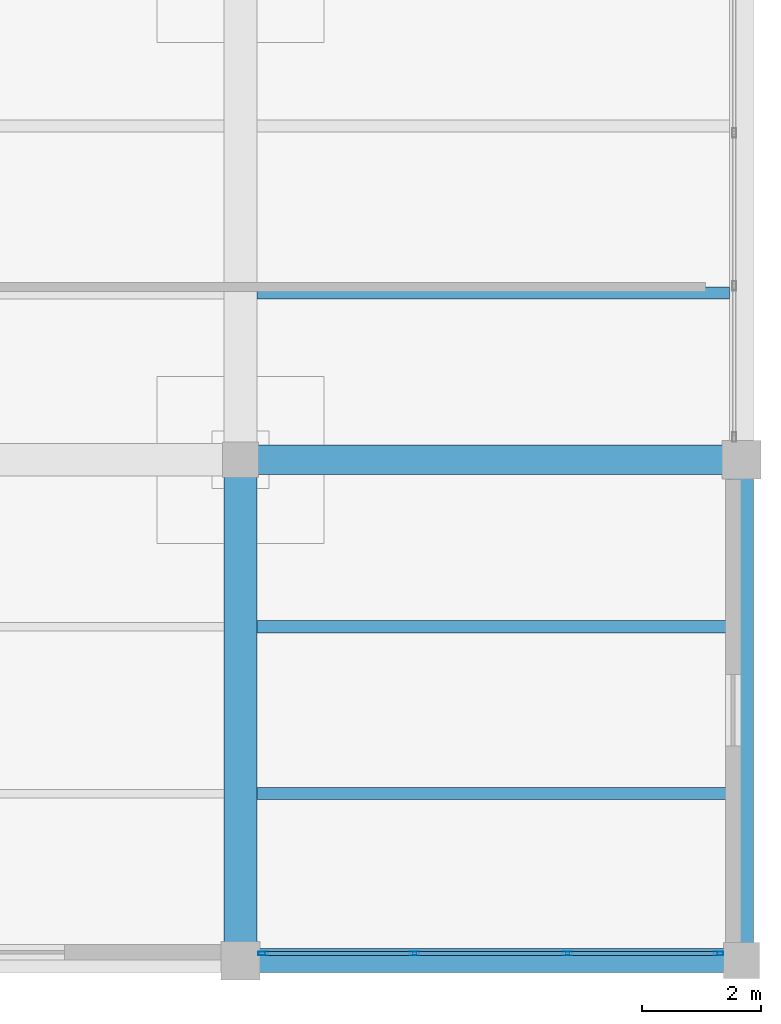
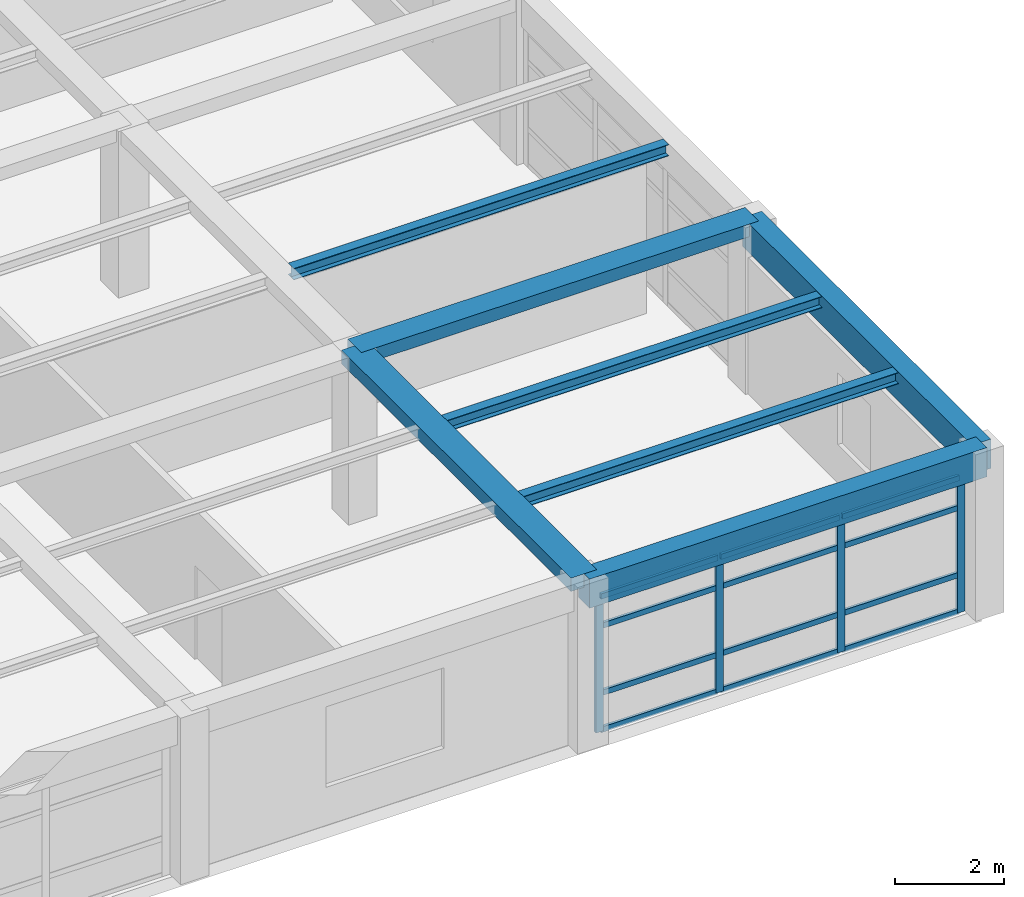
# One storey, part 12 of 25: 16 members, 7 beams, 1 element without a shape of its own.
"""IFC4 building model written with IfcOpenShell, lengths in metres."""

from ifc_helpers import new_model, si_unit, direction, frame, origin, origin_2d, place, context, subcontext, project, spatial, rectangle, hollow_rectangle, i_section, extrude, material, material_profile, profile_set, type_object, element, aggregate, save


model = new_model("IFC4")

# Units and contexts
model_context = context("Model", 3, precision=1e-05, world=origin(), true_north=direction((0.0, 1.0)))
body_context = subcontext(model_context, "Body", "Model", "MODEL_VIEW")
ifc_project = project(units=[si_unit("LENGTHUNIT", "METRE"), si_unit("AREAUNIT", "SQUARE_METRE"), si_unit("VOLUMEUNIT", "CUBIC_METRE"), si_unit("PLANEANGLEUNIT", "RADIAN"), si_unit("MASSUNIT", "GRAM", prefix="KILO")], contexts=[model_context])

# Site, building, storey
site_placement = place(None, origin())
site = spatial("IfcSite", under=ifc_project, at=site_placement, CompositionType="ELEMENT")
building_placement = place(site_placement, origin())
building = spatial("IfcBuilding", under=site, at=building_placement, Name="Almacenes y Pasaje Nevantli", CompositionType="ELEMENT")
storey_placement = place(building_placement, frame((0.0, 0.0, 50.699951171875)))
storey = spatial("IfcBuildingStorey", under=building, at=storey_placement, Name="L12", CompositionType="ELEMENT", Elevation=50.699951171875)

# Beams
ifc_material_1 = material(Name="Concrete C35/45", Category="concrete")
ifc_material_profile_1 = material_profile(ifc_material_1, rectangle(XDim=0.39990234375, YDim=0.64990234375, at=origin_2d()), Name="RC-BM-400x650")
ifc_profile_set_1 = profile_set([ifc_material_profile_1], Name="Concrete C35/45")
beam_type_1 = type_object("IfcBeamType", Name="BM-RC-400x650", PredefinedType="SPANDREL", material=ifc_profile_set_1)
for number, where, z_axis, x_axis, name in (
    (1, (151.199951171875, 67.199951171875, 3.39501953125), (1.0, 0.0, 0.0), (0.0, 1.0, 0.0), "L12 East-West Reinforced Concrete Beam #3895"),
    (2, (159.60009765625, 67.199951171875, 3.39501953125), (0.0, 1.0, 0.0), (-1.0, 0.0, 0.0), "L12 North-South Reinforced Concrete Beam #3934"),
):
    element("IfcBeam", number, at=place(storey_placement, frame(where, z_axis=z_axis, x_axis=x_axis)), inside=storey, type_object=beam_type_1, Name=name, PredefinedType="SPANDREL", context=body_context, shape_type="SweptSolid", body=[
        extrude(rectangle(XDim=0.39990234375, YDim=0.64990234375, at=origin_2d()), origin(), (0.0, 0.0, 1.0), 8.400146484375),
    ])
ifc_material_2 = material(Name="Concrete C35/45", Category="concrete")
ifc_material_profile_2 = material_profile(ifc_material_2, rectangle(XDim=0.5, YDim=0.280029296875, at=origin_2d()), Name="RC-BM-500x280")
ifc_profile_set_2 = profile_set([ifc_material_profile_2], Name="Concrete C35/45")
beam_type_2 = type_object("IfcBeamType", Name="BM-RC-500x280", PredefinedType="BEAM", material=ifc_profile_set_2)
beam_1_placement = place(storey_placement, frame((151.199951171875, 75.60009765625, 3.580078125), z_axis=(1.0, 0.0, 0.0), x_axis=(0.0, 1.0, 0.0)))
element("IfcBeam", 3, at=beam_1_placement, inside=storey, type_object=beam_type_2, Name="L12 East-West Reinforced Concrete Beam #3900", PredefinedType="BEAM", context=body_context, shape_type="SweptSolid", body=[
    extrude(rectangle(XDim=0.5, YDim=0.280029296875, at=origin_2d()), origin(), (0.0, 0.0, 1.0), 8.400146484375),
])
ifc_material_3 = material(Name="Concrete C35/45", Category="concrete")
ifc_material_profile_3 = material_profile(ifc_material_3, rectangle(XDim=0.550048828125, YDim=0.300048828125, at=origin_2d()), Name="RC-BM-550x300")
ifc_profile_set_3 = profile_set([ifc_material_profile_3], Name="Concrete C35/45")
beam_type_3 = type_object("IfcBeamType", Name="BM-RC-550x300", PredefinedType="BEAM", material=ifc_profile_set_3)
beam_2_placement = place(storey_placement, frame((151.199951171875, 67.199951171875, 3.570068359375), z_axis=(0.0, 1.0, 0.0), x_axis=(-1.0, 0.0, 0.0)))
element("IfcBeam", 4, at=beam_2_placement, inside=storey, type_object=beam_type_3, Name="L12 North-South Reinforced Concrete Beam #3930", PredefinedType="BEAM", context=body_context, shape_type="SweptSolid", body=[
    extrude(rectangle(XDim=0.550048828125, YDim=0.300048828125, at=origin_2d()), origin(), (0.0, 0.0, 1.0), 8.400146484375),
])
ifc_material_4 = material(Name="Steel ASTM A992", Category="steel")
ifc_material_profile_4 = material_profile(ifc_material_4, i_section(OverallWidth=0.202880859375, OverallDepth=0.25390625, WebThickness=0.00732421875, FlangeThickness=0.010986328125, at=origin_2d()), Name="IR 254x49.1")
ifc_profile_set_4 = profile_set([ifc_material_profile_4], Name="Steel ASTM A992")
beam_type_4 = type_object("IfcBeamType", Name="BM-STL-IR-254x49p1", PredefinedType="JOIST", material=ifc_profile_set_4)
for number, where, z_axis, x_axis, name in (
    (5, (151.47509765625, 70.0, 3.5849609375), (1.0, 0.0, 0.0), (0.0, 1.0, 0.0), "L12 Secondary Steel Floor Joist #1559"),
    (6, (151.47509765625, 72.800048828125, 3.5849609375), (1.0, 0.0, 0.0), (0.0, 1.0, 0.0), "L12 Secondary Steel Floor Joist #1560"),
):
    element("IfcBeam", number, at=place(storey_placement, frame(where, z_axis=z_axis, x_axis=x_axis)), inside=storey, type_object=beam_type_4, Name=name, PredefinedType="JOIST", context=body_context, shape_type="SweptSolid", body=[
        extrude(i_section(OverallWidth=0.202880859375, OverallDepth=0.25390625, WebThickness=0.00732421875, FlangeThickness=0.010986328125, at=origin_2d()), origin(), (0.0, 0.0, 1.0), 7.9248046875),
    ])
ifc_material_5 = material(Name="Steel ASTM A992", Category="steel")
ifc_material_profile_5 = material_profile(ifc_material_5, i_section(OverallWidth=0.2041015625, OverallDepth=0.258056640625, WebThickness=0.008056640625, FlangeThickness=0.013427734375, at=origin_2d()), Name="IR 254x58.0")
ifc_profile_set_5 = profile_set([ifc_material_profile_5], Name="Steel ASTM A992")
beam_type_5 = type_object("IfcBeamType", Name="BM-STL-IR-254x58p0", PredefinedType="JOIST", material=ifc_profile_set_5)
beam_3_placement = place(storey_placement, frame((151.47509765625, 78.39990234375, 3.5830078125), z_axis=(1.0, 0.0, 0.0), x_axis=(0.0, 1.0, 0.0)))
element("IfcBeam", 7, at=beam_3_placement, inside=storey, type_object=beam_type_5, Name="L12 Secondary Steel Floor Joist #1561", PredefinedType="JOIST", context=body_context, shape_type="SweptSolid", body=[
    extrude(i_section(OverallWidth=0.2041015625, OverallDepth=0.258056640625, WebThickness=0.008056640625, FlangeThickness=0.013427734375, at=origin_2d()), origin(), (0.0, 0.0, 1.0), 7.9248046875),
])

# Curtain wall, members
ifc_material_6 = material(Name="Thermally Broken Aluminium and Low-E Glass", Category="aluminium")
curtain_wall_type = type_object("IfcCurtainWallType", Name="CW-UNIT-TOWER", PredefinedType="USERDEFINED", material=ifc_material_6)
curtain_wall_placement = place(storey_placement, origin())
curtain_wall = element("IfcCurtainWall", 8, at=curtain_wall_placement, inside=storey, type_object=curtain_wall_type, Name="L12 Tower South Unitized Curtain Wall Bay 19", ObjectType="UNITIZED CURTAIN WALL", PredefinedType="USERDEFINED")
ifc_material_7 = material(Name="Thermally Broken Anodized Aluminium", Category="aluminium")
ifc_material_profile_6 = material_profile(ifc_material_7, hollow_rectangle(XDim=0.06005859375, YDim=0.159912109375, WallThickness=0.00390625, at=origin_2d()), Name="ALU-MUL-60x160")
ifc_profile_set_6 = profile_set([ifc_material_profile_6], Name="Thermally Broken Anodized Aluminium")
member_type_1 = type_object("IfcMemberType", Name="CW-MUL-180", PredefinedType="MULLION", material=ifc_profile_set_6)
member_1_placement = place(storey_placement, frame((151.580078125, 67.320068359375, 0.0), z_axis=(0.0, 0.0, 1.0), x_axis=(0.0, 1.0, 0.0)))
member_1 = element("IfcMember", 9, at=member_1_placement, type_object=member_type_1, Name="CW-L12-163 mullion 1", PredefinedType="MULLION", context=body_context, shape_type="SweptSolid", body=[
    extrude(hollow_rectangle(XDim=0.06005859375, YDim=0.159912109375, WallThickness=0.00390625, at=origin_2d()), origin(), (0.0, 0.0, 1.0), 3.0400390625),
])
member_2_placement = place(storey_placement, frame((154.11669921875, 67.320068359375, 0.0), z_axis=(0.0, 0.0, 1.0), x_axis=(0.0, 1.0, 0.0)))
member_2 = element("IfcMember", 10, at=member_2_placement, type_object=member_type_1, Name="CW-L12-163 mullion 2", PredefinedType="MULLION", context=body_context, shape_type="SweptSolid", body=[
    extrude(hollow_rectangle(XDim=0.06005859375, YDim=0.159912109375, WallThickness=0.00390625, at=origin_2d()), origin(), (0.0, 0.0, 1.0), 3.0400390625),
])
member_3_placement = place(storey_placement, frame((156.683349609375, 67.320068359375, 0.0), z_axis=(0.0, 0.0, 1.0), x_axis=(0.0, 1.0, 0.0)))
member_3 = element("IfcMember", 11, at=member_3_placement, type_object=member_type_1, Name="CW-L12-163 mullion 3", PredefinedType="MULLION", context=body_context, shape_type="SweptSolid", body=[
    extrude(hollow_rectangle(XDim=0.06005859375, YDim=0.159912109375, WallThickness=0.00390625, at=origin_2d()), origin(), (0.0, 0.0, 1.0), 3.0400390625),
])
member_4_placement = place(storey_placement, frame((159.219970703125, 67.320068359375, 0.0), z_axis=(0.0, 0.0, 1.0), x_axis=(0.0, 1.0, 0.0)))
member_4 = element("IfcMember", 12, at=member_4_placement, type_object=member_type_1, Name="CW-L12-163 mullion 4", PredefinedType="MULLION", context=body_context, shape_type="SweptSolid", body=[
    extrude(hollow_rectangle(XDim=0.06005859375, YDim=0.159912109375, WallThickness=0.00390625, at=origin_2d()), origin(), (0.0, 0.0, 1.0), 3.0400390625),
])
ifc_material_8 = material(Name="Thermally Broken Anodized Aluminium", Category="aluminium")
ifc_material_profile_7 = material_profile(ifc_material_8, hollow_rectangle(XDim=0.06005859375, YDim=0.1201171875, WallThickness=0.00341796875, at=origin_2d()), Name="ALU-TRN-60x120")
ifc_profile_set_7 = profile_set([ifc_material_profile_7], Name="Thermally Broken Anodized Aluminium")
member_type_2 = type_object("IfcMemberType", Name="CW-TRN-130", PredefinedType="USERDEFINED", material=ifc_profile_set_7)
member_5_placement = place(storey_placement, frame((151.610107421875, 67.320068359375, 0.030029296875), z_axis=(1.0, 0.0, 0.0), x_axis=(0.0, 1.0, 0.0)))
member_5 = element("IfcMember", 13, at=member_5_placement, type_object=member_type_2, Name="CW-L12-163 transom 1.1", ObjectType="TRANSOM", PredefinedType="USERDEFINED", context=body_context, shape_type="SweptSolid", body=[
    extrude(hollow_rectangle(XDim=0.06005859375, YDim=0.1201171875, WallThickness=0.00341796875, at=origin_2d()), origin(), (0.0, 0.0, 1.0), 2.4765625),
])
member_6_placement = place(storey_placement, frame((151.610107421875, 67.320068359375, 0.85009765625), z_axis=(1.0, 0.0, 0.0), x_axis=(0.0, 1.0, 0.0)))
member_6 = element("IfcMember", 14, at=member_6_placement, type_object=member_type_2, Name="CW-L12-163 transom 1.2", ObjectType="TRANSOM", PredefinedType="USERDEFINED", context=body_context, shape_type="SweptSolid", body=[
    extrude(hollow_rectangle(XDim=0.06005859375, YDim=0.1201171875, WallThickness=0.00341796875, at=origin_2d()), origin(), (0.0, 0.0, 1.0), 2.4765625),
])
member_7_placement = place(storey_placement, frame((151.610107421875, 67.320068359375, 2.35009765625), z_axis=(1.0, 0.0, 0.0), x_axis=(0.0, 1.0, 0.0)))
member_7 = element("IfcMember", 15, at=member_7_placement, type_object=member_type_2, Name="CW-L12-163 transom 1.3", ObjectType="TRANSOM", PredefinedType="USERDEFINED", context=body_context, shape_type="SweptSolid", body=[
    extrude(hollow_rectangle(XDim=0.06005859375, YDim=0.1201171875, WallThickness=0.00341796875, at=origin_2d()), origin(), (0.0, 0.0, 1.0), 2.4765625),
])
member_8_placement = place(storey_placement, frame((151.610107421875, 67.320068359375, 3.010009765625), z_axis=(1.0, 0.0, 0.0), x_axis=(0.0, 1.0, 0.0)))
member_8 = element("IfcMember", 16, at=member_8_placement, type_object=member_type_2, Name="CW-L12-163 transom 1.4", ObjectType="TRANSOM", PredefinedType="USERDEFINED", context=body_context, shape_type="SweptSolid", body=[
    extrude(hollow_rectangle(XDim=0.06005859375, YDim=0.1201171875, WallThickness=0.00341796875, at=origin_2d()), origin(), (0.0, 0.0, 1.0), 2.4765625),
])
member_9_placement = place(storey_placement, frame((154.146728515625, 67.320068359375, 0.030029296875), z_axis=(1.0, 0.0, 0.0), x_axis=(0.0, 1.0, 0.0)))
member_9 = element("IfcMember", 17, at=member_9_placement, type_object=member_type_2, Name="CW-L12-163 transom 2.1", ObjectType="TRANSOM", PredefinedType="USERDEFINED", context=body_context, shape_type="SweptSolid", body=[
    extrude(hollow_rectangle(XDim=0.06005859375, YDim=0.1201171875, WallThickness=0.00341796875, at=origin_2d()), origin(), (0.0, 0.0, 1.0), 2.506591796875),
])
member_10_placement = place(storey_placement, frame((154.146728515625, 67.320068359375, 0.85009765625), z_axis=(1.0, 0.0, 0.0), x_axis=(0.0, 1.0, 0.0)))
member_10 = element("IfcMember", 18, at=member_10_placement, type_object=member_type_2, Name="CW-L12-163 transom 2.2", ObjectType="TRANSOM", PredefinedType="USERDEFINED", context=body_context, shape_type="SweptSolid", body=[
    extrude(hollow_rectangle(XDim=0.06005859375, YDim=0.1201171875, WallThickness=0.00341796875, at=origin_2d()), origin(), (0.0, 0.0, 1.0), 2.506591796875),
])
member_11_placement = place(storey_placement, frame((154.146728515625, 67.320068359375, 2.35009765625), z_axis=(1.0, 0.0, 0.0), x_axis=(0.0, 1.0, 0.0)))
member_11 = element("IfcMember", 19, at=member_11_placement, type_object=member_type_2, Name="CW-L12-163 transom 2.3", ObjectType="TRANSOM", PredefinedType="USERDEFINED", context=body_context, shape_type="SweptSolid", body=[
    extrude(hollow_rectangle(XDim=0.06005859375, YDim=0.1201171875, WallThickness=0.00341796875, at=origin_2d()), origin(), (0.0, 0.0, 1.0), 2.506591796875),
])
member_12_placement = place(storey_placement, frame((154.146728515625, 67.320068359375, 3.010009765625), z_axis=(1.0, 0.0, 0.0), x_axis=(0.0, 1.0, 0.0)))
member_12 = element("IfcMember", 20, at=member_12_placement, type_object=member_type_2, Name="CW-L12-163 transom 2.4", ObjectType="TRANSOM", PredefinedType="USERDEFINED", context=body_context, shape_type="SweptSolid", body=[
    extrude(hollow_rectangle(XDim=0.06005859375, YDim=0.1201171875, WallThickness=0.00341796875, at=origin_2d()), origin(), (0.0, 0.0, 1.0), 2.506591796875),
])
member_13_placement = place(storey_placement, frame((156.71337890625, 67.320068359375, 0.030029296875), z_axis=(1.0, 0.0, 0.0), x_axis=(0.0, 1.0, 0.0)))
member_13 = element("IfcMember", 21, at=member_13_placement, type_object=member_type_2, Name="CW-L12-163 transom 3.1", ObjectType="TRANSOM", PredefinedType="USERDEFINED", context=body_context, shape_type="SweptSolid", body=[
    extrude(hollow_rectangle(XDim=0.06005859375, YDim=0.1201171875, WallThickness=0.00341796875, at=origin_2d()), origin(), (0.0, 0.0, 1.0), 2.4765625),
])
member_14_placement = place(storey_placement, frame((156.71337890625, 67.320068359375, 0.85009765625), z_axis=(1.0, 0.0, 0.0), x_axis=(0.0, 1.0, 0.0)))
member_14 = element("IfcMember", 22, at=member_14_placement, type_object=member_type_2, Name="CW-L12-163 transom 3.2", ObjectType="TRANSOM", PredefinedType="USERDEFINED", context=body_context, shape_type="SweptSolid", body=[
    extrude(hollow_rectangle(XDim=0.06005859375, YDim=0.1201171875, WallThickness=0.00341796875, at=origin_2d()), origin(), (0.0, 0.0, 1.0), 2.4765625),
])
member_15_placement = place(storey_placement, frame((156.71337890625, 67.320068359375, 2.35009765625), z_axis=(1.0, 0.0, 0.0), x_axis=(0.0, 1.0, 0.0)))
member_15 = element("IfcMember", 23, at=member_15_placement, type_object=member_type_2, Name="CW-L12-163 transom 3.3", ObjectType="TRANSOM", PredefinedType="USERDEFINED", context=body_context, shape_type="SweptSolid", body=[
    extrude(hollow_rectangle(XDim=0.06005859375, YDim=0.1201171875, WallThickness=0.00341796875, at=origin_2d()), origin(), (0.0, 0.0, 1.0), 2.4765625),
])
member_16_placement = place(storey_placement, frame((156.71337890625, 67.320068359375, 3.010009765625), z_axis=(1.0, 0.0, 0.0), x_axis=(0.0, 1.0, 0.0)))
member_16 = element("IfcMember", 24, at=member_16_placement, type_object=member_type_2, Name="CW-L12-163 transom 3.4", ObjectType="TRANSOM", PredefinedType="USERDEFINED", context=body_context, shape_type="SweptSolid", body=[
    extrude(hollow_rectangle(XDim=0.06005859375, YDim=0.1201171875, WallThickness=0.00341796875, at=origin_2d()), origin(), (0.0, 0.0, 1.0), 2.4765625),
])
aggregate(curtain_wall, [member_1, member_2, member_3, member_4, member_5, member_6, member_7, member_8, member_9, member_10, member_11, member_12, member_13, member_14, member_15, member_16])

save(model, "model.ifc")
